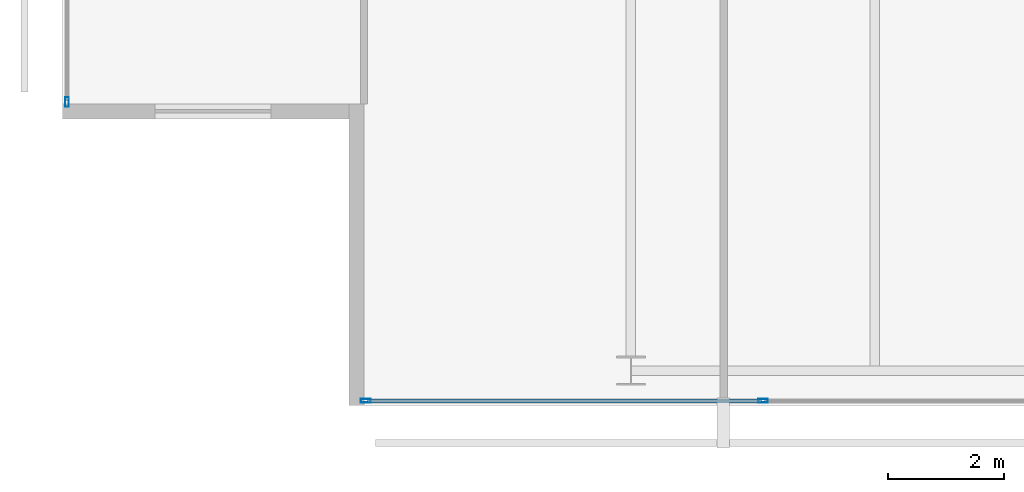
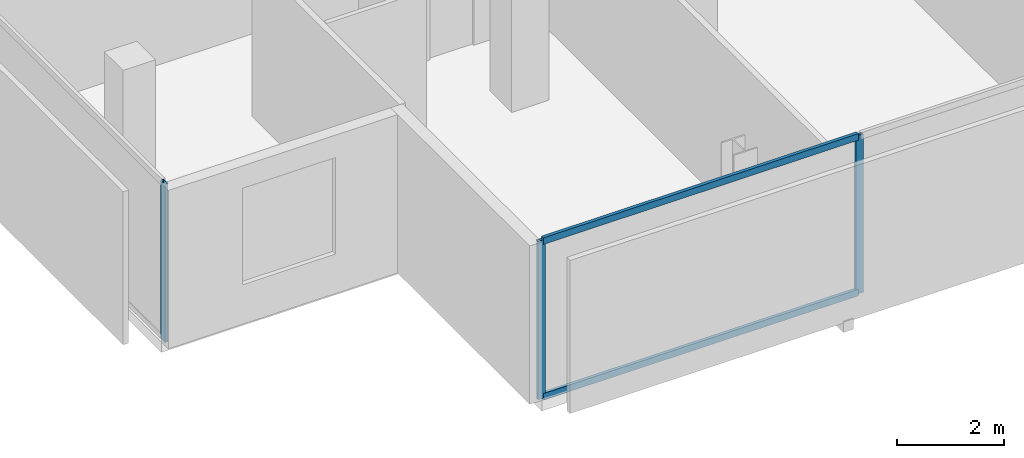
# One storey, part 2 of 26: 5 members, 2 elements without a shape of their own.
"""IFC4 building model written with IfcOpenShell, lengths in metres."""

from ifc_helpers import new_model, si_unit, direction, frame, origin, origin_2d, place, context, subcontext, project, spatial, hollow_rectangle, extrude, material, layer, layer_set, material_profile, profile_set, type_object, element, aggregate, save


model = new_model("IFC4")

# Units and contexts
model_context = context("Model", 3, precision=1e-05, world=origin(), true_north=direction((0.0, 1.0)))
body_context = subcontext(model_context, "Body", "Model", "MODEL_VIEW")
ifc_project = project(units=[si_unit("LENGTHUNIT", "METRE"), si_unit("AREAUNIT", "SQUARE_METRE"), si_unit("VOLUMEUNIT", "CUBIC_METRE"), si_unit("PLANEANGLEUNIT", "RADIAN"), si_unit("MASSUNIT", "GRAM", prefix="KILO")], contexts=[model_context])

# Site, building, storey
site_placement = place(None, origin())
site = spatial("IfcSite", under=ifc_project, at=site_placement, CompositionType="ELEMENT")
building_placement = place(site_placement, origin())
building = spatial("IfcBuilding", under=site, at=building_placement, Name="Maruvema Waterfront Hotel and Observation Tower", CompositionType="ELEMENT")
storey_placement = place(building_placement, frame((0.0, 0.0, 289.449951171875)))
storey = spatial("IfcBuildingStorey", under=building, at=storey_placement, Name="L71", CompositionType="ELEMENT", Elevation=289.449951171875)

# Curtain wall, members
ifc_material_1 = material(Name="Anodised bronze aluminium and solar-control low-E IGU", Category="aluminium")
ifc_layer = layer(ifc_material_1, 0.159912109375, Name="Zone 3 Champagne Inner Thermal Curtain Wall System CW-04")
ifc_layer_set = layer_set([ifc_layer], Name="Anodised bronze aluminium and solar-control low-E IGU")
curtain_wall_type = type_object("IfcCurtainWallType", Name="Zone 3 Champagne Inner Thermal Curtain Wall System CW-04", PredefinedType="USERDEFINED", material=ifc_layer_set)
curtain_wall_1_placement = place(storey_placement, origin())
curtain_wall_1 = element("IfcCurtainWall", 1, at=curtain_wall_1_placement, inside=storey, type_object=curtain_wall_type, Name="L71 Curtain Wall CW-L71-S", ObjectType="UNITISED CURTAIN WALL", PredefinedType="USERDEFINED")
ifc_material_2 = material(Name="Anodised architectural bronze aluminium", Category="aluminium")
ifc_material_profile_1 = material_profile(ifc_material_2, hollow_rectangle(XDim=0.070068359375, YDim=0.14990234375, WallThickness=0.00390625, at=origin_2d()), Name="ALU-T70x150")
ifc_profile_set_1 = profile_set([ifc_material_profile_1], Name="Anodised architectural bronze aluminium")
member_type_1 = type_object("IfcMemberType", Name="Curtain Wall Horizontal Transom ALU-T70x150", PredefinedType="USERDEFINED", material=ifc_profile_set_1)
member_1_placement = place(storey_placement, frame((20.659912109375, 9.280029296875, 0.030029296875), z_axis=(1.0, 0.0, 0.0), x_axis=(0.0, 1.0, 0.0)))
member_1 = element("IfcMember", 2, at=member_1_placement, type_object=member_type_1, Name="CW-04 transom 1.1", ObjectType="TRANSOM", PredefinedType="USERDEFINED", context=body_context, shape_type="SweptSolid", body=[
    extrude(hollow_rectangle(XDim=0.070068359375, YDim=0.14990234375, WallThickness=0.00390625, at=origin_2d()), origin(), (0.0, 0.0, 1.0), 6.7900390625),
])
member_2_placement = place(storey_placement, frame((20.659912109375, 9.280029296875, 3.580078125), z_axis=(1.0, 0.0, 0.0), x_axis=(0.0, 1.0, 0.0)))
member_2 = element("IfcMember", 3, at=member_2_placement, type_object=member_type_1, Name="CW-04 transom 1.2", ObjectType="TRANSOM", PredefinedType="USERDEFINED", context=body_context, shape_type="SweptSolid", body=[
    extrude(hollow_rectangle(XDim=0.070068359375, YDim=0.14990234375, WallThickness=0.00390625, at=origin_2d()), origin(), (0.0, 0.0, 1.0), 6.7900390625),
])
ifc_material_3 = material(Name="Anodised architectural bronze aluminium", Category="aluminium")
ifc_material_profile_2 = material_profile(ifc_material_3, hollow_rectangle(XDim=0.06494140625, YDim=0.1650390625, WallThickness=0.00390625, at=origin_2d()), Name="ALU-M65x165")
ifc_profile_set_2 = profile_set([ifc_material_profile_2], Name="Anodised architectural bronze aluminium")
member_type_2 = type_object("IfcMemberType", Name="Curtain Wall Primary Mullion ALU-M65x165", PredefinedType="MULLION", material=ifc_profile_set_2)
member_3_placement = place(storey_placement, frame((20.6298828125, 9.280029296875, 0.0), z_axis=(0.0, 0.0, 1.0), x_axis=(0.0, 1.0, 0.0)))
member_3 = element("IfcMember", 4, at=member_3_placement, type_object=member_type_2, Name="CW-04 mullion 1", PredefinedType="MULLION", context=body_context, shape_type="SweptSolid", body=[
    extrude(hollow_rectangle(XDim=0.06494140625, YDim=0.1650390625, WallThickness=0.00390625, at=origin_2d()), origin(), (0.0, 0.0, 1.0), 3.610107421875),
])
member_4_placement = place(storey_placement, frame((27.47998046875, 9.280029296875, 0.0), z_axis=(0.0, 0.0, 1.0), x_axis=(0.0, 1.0, 0.0)))
member_4 = element("IfcMember", 5, at=member_4_placement, type_object=member_type_2, Name="CW-04 mullion 2", PredefinedType="MULLION", context=body_context, shape_type="SweptSolid", body=[
    extrude(hollow_rectangle(XDim=0.06494140625, YDim=0.1650390625, WallThickness=0.00390625, at=origin_2d()), origin(), (0.0, 0.0, 1.0), 3.610107421875),
])
aggregate(curtain_wall_1, [member_3, member_4, member_1, member_2])

# Curtain wall, member
curtain_wall_2_placement = place(storey_placement, origin())
curtain_wall_2 = element("IfcCurtainWall", 6, at=curtain_wall_2_placement, inside=storey, type_object=curtain_wall_type, Name="L71 Curtain Wall CW-L71-W", ObjectType="UNITISED CURTAIN WALL", PredefinedType="USERDEFINED")
member_5_placement = place(storey_placement, frame((15.47998046875, 14.429931640625, 0.0), z_axis=(0.0, 0.0, 1.0), x_axis=(1.0, 0.0, 0.0)))
member_5 = element("IfcMember", 7, at=member_5_placement, type_object=member_type_2, Name="CW-04 mullion 6", PredefinedType="MULLION", context=body_context, shape_type="SweptSolid", body=[
    extrude(hollow_rectangle(XDim=0.06494140625, YDim=0.1650390625, WallThickness=0.00390625, at=origin_2d()), origin(), (0.0, 0.0, 1.0), 3.610107421875),
])
aggregate(curtain_wall_2, [member_5])

save(model, "model.ifc")
